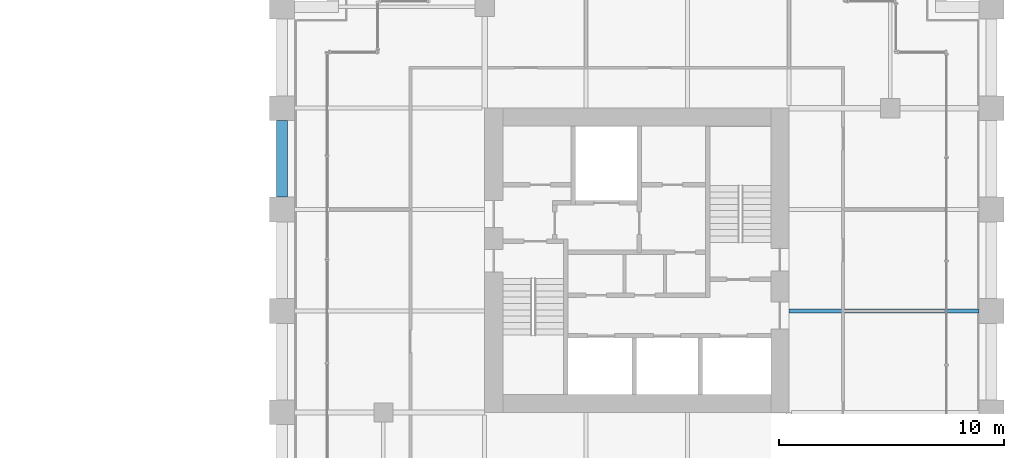
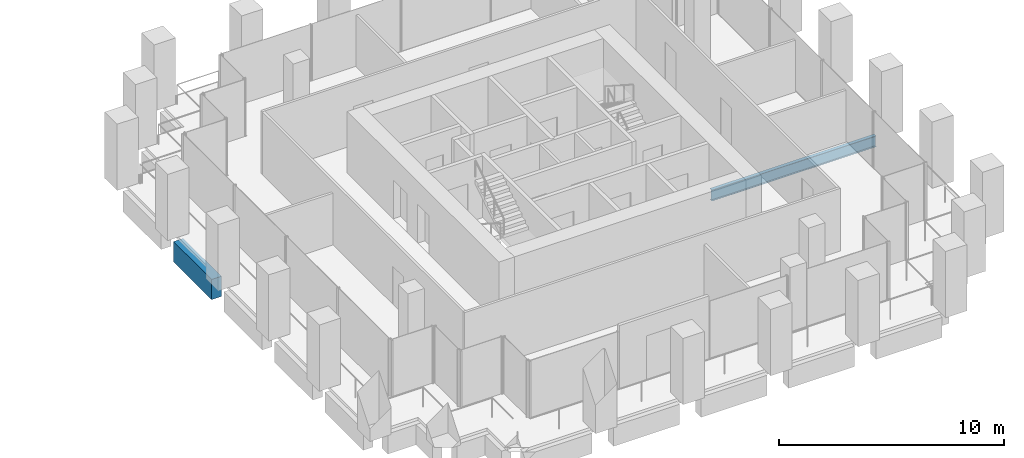
# One storey, part 39 of 54: 2 beams.
"""IFC4 building model written with IfcOpenShell, lengths in metres."""

from ifc_helpers import new_model, si_unit, direction, frame, origin, origin_2d, place, context, subcontext, project, spatial, rectangle, i_section, extrude, material, material_profile, profile_set, type_object, element, save


model = new_model("IFC4")

# Units and contexts
model_context = context("Model", 3, precision=1e-05, world=origin(), true_north=direction((0.0, 1.0)))
body_context = subcontext(model_context, "Body", "Model", "MODEL_VIEW")
ifc_project = project(units=[si_unit("LENGTHUNIT", "METRE"), si_unit("AREAUNIT", "SQUARE_METRE"), si_unit("VOLUMEUNIT", "CUBIC_METRE"), si_unit("PLANEANGLEUNIT", "RADIAN"), si_unit("MASSUNIT", "GRAM", prefix="KILO")], contexts=[model_context])

# Site, building, storey
site_placement = place(None, origin())
site = spatial("IfcSite", under=ifc_project, at=site_placement, CompositionType="ELEMENT")
building_placement = place(site_placement, origin())
building = spatial("IfcBuilding", under=site, at=building_placement, Name="Altepetl Exchange Towers", CompositionType="ELEMENT")
storey_placement = place(building_placement, frame((0.0, 0.0, 65.39990234375)))
storey = spatial("IfcBuildingStorey", under=building, at=storey_placement, Name="L15", CompositionType="ELEMENT", Elevation=65.39990234375)

# Beams
ifc_material_1 = material(Name="Steel S355", Category="steel")
ifc_material_profile_1 = material_profile(ifc_material_1, i_section(OverallWidth=0.177978515625, OverallDepth=0.59912109375, WebThickness=0.010009765625, FlangeThickness=0.0126953125, at=origin_2d()), Name="W24X55")
ifc_profile_set_1 = profile_set([ifc_material_profile_1], Name="Steel S355")
beam_type_1 = type_object("IfcBeamType", Name="Floor beam W24X55", PredefinedType="BEAM", material=ifc_profile_set_1)
beam_1_placement = place(storey_placement, frame((117.0, 40.5, -0.449462890625), z_axis=(1.0, 0.0, 0.0), x_axis=(0.0, 1.0, 0.0)))
element("IfcBeam", 1, at=beam_1_placement, inside=storey, type_object=beam_type_1, Name="bm:B:L15:006", PredefinedType="BEAM", context=body_context, shape_type="SweptSolid", body=[
    extrude(i_section(OverallWidth=0.177978515625, OverallDepth=0.59912109375, WebThickness=0.010009765625, FlangeThickness=0.0126953125, at=origin_2d()), origin(), (0.0, 0.0, 1.0), 8.449951171875),
])
ifc_material_2 = material(Name="Concrete C50/60 precast with cantera rosa facing", Category="concrete")
ifc_material_profile_2 = material_profile(ifc_material_2, rectangle(XDim=0.5, YDim=1.10009765625, at=origin_2d()), Name="500 x 1100")
ifc_profile_set_2 = profile_set([ifc_material_profile_2], Name="Concrete C50/60 precast with cantera rosa facing")
beam_type_2 = type_object("IfcBeamType", Name="Spandrel beam 500x1100 cantera rosa", PredefinedType="SPANDREL", material=ifc_profile_set_2)
beam_2_placement = place(storey_placement, frame((94.5, 48.949951171875, -0.699951171875), z_axis=(0.0, -1.0, 0.0), x_axis=(1.0, 0.0, 0.0)))
element("IfcBeam", 2, at=beam_2_placement, inside=storey, type_object=beam_type_2, Name="sp:B:L15:028", PredefinedType="SPANDREL", context=body_context, shape_type="SweptSolid", body=[
    extrude(rectangle(XDim=0.5, YDim=1.10009765625, at=origin_2d()), origin(), (0.0, 0.0, 1.0), 3.39990234375),
])

save(model, "model.ifc")
